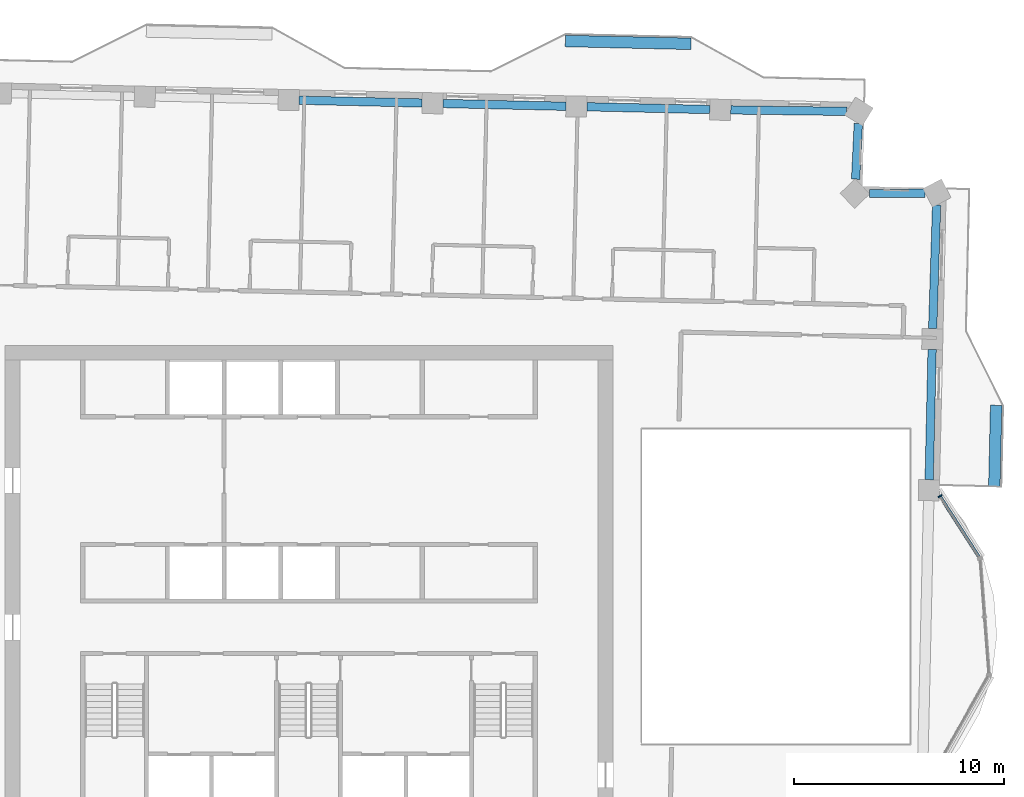
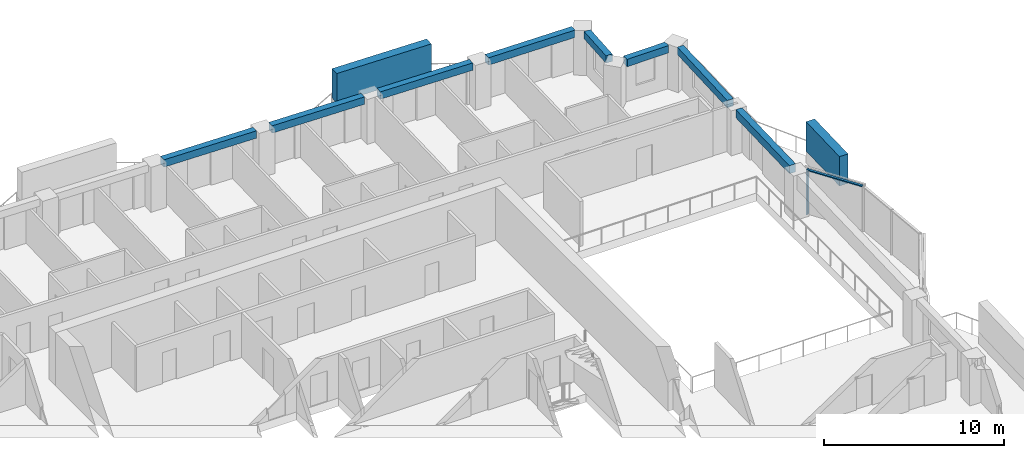
# One storey, part 4 of 17: 8 beams, 4 members, 1 element without a shape of its own.
"""IFC4 building model written with IfcOpenShell, lengths in metres."""

import ifcopenshell
import ifcopenshell.guid

model = None  # the IFC model being written
_history = None  # IfcOwnerHistory: only IFC2X3 demands one
_inside = {}  # id of a spatial element -> (the spatial element, [elements in it])
_under = {}  # id of a project, library or spatial element -> (it, [spatial elements below it])
_declared = {}  # id of a project -> (the project, [libraries it declares])
_typed = {}  # id of a type object -> (the type object, [elements of that type])
_made_of = {}  # id of a material, layer set ... -> (it, [elements and type objects made of it])


def new_model(schema):
    """Start an empty IFC model of exactly this schema.

    Asked for "IFC4X3", IfcOpenShell would pick the latest addendum, in which some entities
    have other attributes; the version numbers below select the first issue.
    IFC2X3 requires an IfcOwnerHistory on every rooted entity: one is made here for all.
    """
    global model, _history
    if schema == "IFC4X3":
        model = ifcopenshell.file(schema_version=(4, 3, 0, 0))
    else:
        model = ifcopenshell.file(schema=schema)
    _inside.clear()
    _under.clear()
    _declared.clear()
    _typed.clear()
    _made_of.clear()
    _history = None
    if model.schema == "IFC2X3":
        org = make("IfcOrganization", Name="unknown")
        user = make(
            "IfcPersonAndOrganization",
            ThePerson=make("IfcPerson", FamilyName="unknown"),
            TheOrganization=org,
        )
        app = make(
            "IfcApplication",
            ApplicationDeveloper=org,
            Version="unknown",
            ApplicationFullName="unknown",
            ApplicationIdentifier="unknown",
        )
        _history = make(
            "IfcOwnerHistory",
            OwningUser=user,
            OwningApplication=app,
            ChangeAction="ADDED",
            CreationDate=0,
        )
    return model


def make(cls, **values):
    """One entity of the class cls with the attributes given. An attribute that is None is left unset."""
    return model.create_entity(
        cls, **{name: value for name, value in values.items() if value is not None}
    )


def rooted(cls, **values):
    """An entity with a GlobalId (a new one), such as an element, a storey or a relation."""
    return make(cls, GlobalId=ifcopenshell.guid.new(), OwnerHistory=_history, **values)


def si_unit(unit_type, name, prefix=None):
    """IfcSIUnit, for example si_unit("LENGTHUNIT", "METRE", prefix="MILLI")."""
    return make("IfcSIUnit", UnitType=unit_type, Prefix=prefix, Name=name)


def assignment(units):
    """IfcUnitAssignment: the units of a project."""
    return None if units is None else make("IfcUnitAssignment", Units=units)


def point(xyz):
    """IfcCartesianPoint."""
    return None if xyz is None else make("IfcCartesianPoint", Coordinates=xyz)


def direction(xyz):
    """IfcDirection."""
    return None if xyz is None else make("IfcDirection", DirectionRatios=xyz)


def frame(location, z_axis=None, x_axis=None):
    """IfcAxis2Placement3D, a coordinate frame: its origin and axes. An axis left out is left unset."""
    return make(
        "IfcAxis2Placement3D",
        Location=point(location),
        Axis=direction(z_axis),
        RefDirection=direction(x_axis),
    )


def frame_2d(location, x_axis=None):
    """IfcAxis2Placement2D, a coordinate frame in the plane: its origin and x axis."""
    return make(
        "IfcAxis2Placement2D", Location=point(location), RefDirection=direction(x_axis)
    )


def origin():
    """The frame at (0, 0, 0) with its axes left unset."""
    return frame((0.0, 0.0, 0.0))


def origin_2d():
    """The frame at (0, 0) in the plane with its x axis left unset."""
    return frame_2d((0.0, 0.0))


def place(relative_to, where):
    """IfcLocalPlacement: puts the frame where relative to a parent placement (None: the world)."""
    return make(
        "IfcLocalPlacement", PlacementRelTo=relative_to, RelativePlacement=where
    )


def context(
    kind, dimensions, precision=None, world=None, true_north=None, identifier=None
):
    """IfcGeometricRepresentationContext, for example the 3D "Model" context."""
    return make(
        "IfcGeometricRepresentationContext",
        ContextIdentifier=identifier,
        ContextType=kind,
        CoordinateSpaceDimension=dimensions,
        Precision=precision,
        WorldCoordinateSystem=world,
        TrueNorth=true_north,
    )


def subcontext(parent, identifier, kind, view, scale=None):
    """IfcGeometricRepresentationSubContext, for example "Body" below "Model"."""
    return make(
        "IfcGeometricRepresentationSubContext",
        ContextIdentifier=identifier,
        ContextType=kind,
        ParentContext=parent,
        TargetScale=scale,
        TargetView=view,
    )


def project(units=None, contexts=None):
    """IfcProject with its units and contexts."""
    return rooted(
        "IfcProject",
        Name="project",
        RepresentationContexts=contexts,
        UnitsInContext=assignment(units),
    )


def spatial(cls, under=None, at=None, **own):
    """A site, building, storey or space (cls), placed at a placement, below another one or the project."""
    s = rooted(cls, ObjectPlacement=at, **own)
    if under is not None:
        _under.setdefault(under.id(), (under, []))[1].append(s)
    return s


def profile(cls, at=None, kind="AREA", **sizes):
    """A parametric profile (cls). Its sizes go by their IFC names, for example OverallWidth=200.0."""
    return make(cls, ProfileType=kind, Position=at, **sizes)


def rectangle(**sizes):
    """IfcRectangleProfileDef."""
    return profile("IfcRectangleProfileDef", **sizes)


def extrude(swept, where, along, depth):
    """IfcExtrudedAreaSolid: the profile swept, set in the frame where, extruded along a direction by depth."""
    return make(
        "IfcExtrudedAreaSolid",
        SweptArea=swept,
        Position=where,
        ExtrudedDirection=direction(along),
        Depth=depth,
    )


def shape(context_of_items, identifier, shape_type, items):
    """IfcShapeRepresentation: the items that make up one representation, for example the "Body"."""
    return make(
        "IfcShapeRepresentation",
        ContextOfItems=context_of_items,
        RepresentationIdentifier=identifier,
        RepresentationType=shape_type,
        Items=items,
    )


def material(Name=None, Category=None):
    """IfcMaterial."""
    return make("IfcMaterial", Name=Name, Category=Category)


def material_profile(
    of_material, cross_section, Name=None, Category=None, Priority=None
):
    """IfcMaterialProfile: a cross section and its material."""
    return make(
        "IfcMaterialProfile",
        Name=Name,
        Material=of_material,
        Profile=cross_section,
        Priority=Priority,
        Category=Category,
    )


def profile_set(profiles, Name=None, composite=None):
    """IfcMaterialProfileSet."""
    return make(
        "IfcMaterialProfileSet",
        Name=Name,
        MaterialProfiles=profiles,
        CompositeProfile=composite,
    )


def made_of(thing, what):
    """Note that an element or type object is made of a material, layer set ...; save() writes the relation."""
    if what is not None:
        _made_of.setdefault(what.id(), (what, []))[1].append(thing)
    return thing


def type_object(cls, material=None, **own):
    """A type object (cls), such as IfcWallType, which elements share."""
    return made_of(rooted(cls, **own), material)


def element(
    cls,
    number,
    at=None,
    inside=None,
    cuts=None,
    type_object=None,
    material=None,
    context=None,
    identifier="Body",
    shape_type=None,
    held_by="IfcProductDefinitionShape",
    body=None,
    shapes=None,
    **own,
):
    """One element of the class cls, such as IfcWall. Its Tag is "e" and its number.

    at: its placement. inside: the storey or other place that contains it. cuts: it is an
    opening in that element (IfcRelVoidsElement). A single representation is given by context,
    identifier, shape_type and body (its items); several are given by shapes. held_by: the class
    of the entity that holds the representations. save() writes the other relations.
    """
    e = rooted(cls, Tag="e%d" % number, ObjectPlacement=at, **own)
    if body is not None:
        shapes = [shape(context, identifier, shape_type, body)]
    if shapes is not None:
        e.Representation = make(held_by, Representations=shapes)
    if inside is not None:
        _inside.setdefault(inside.id(), (inside, []))[1].append(e)
    if cuts is not None:
        rooted(
            "IfcRelVoidsElement", RelatingBuildingElement=cuts, RelatedOpeningElement=e
        )
    if type_object is not None:
        _typed.setdefault(type_object.id(), (type_object, []))[1].append(e)
    return made_of(e, material)


def aggregate(whole, parts):
    """IfcRelAggregates: a whole, such as a stair, and the parts it consists of."""
    return rooted("IfcRelAggregates", RelatingObject=whole, RelatedObjects=parts)


def save(model, path):
    """Write the relations noted so far, then the file.

    IfcRelAggregates (storeys below a building ...), IfcRelContainedInSpatialStructure (elements
    in a storey), IfcRelDefinesByType, IfcRelAssociatesMaterial and IfcRelDeclares: one each for
    every whole, place, type object, material and project.
    """
    for whole, parts in _under.values():
        aggregate(whole, parts)
    for where, things in _inside.values():
        rooted(
            "IfcRelContainedInSpatialStructure",
            RelatedElements=things,
            RelatingStructure=where,
        )
    for kind, things in _typed.values():
        rooted("IfcRelDefinesByType", RelatedObjects=things, RelatingType=kind)
    for what, things in _made_of.values():
        rooted("IfcRelAssociatesMaterial", RelatedObjects=things, RelatingMaterial=what)
    for by, libraries in _declared.values():
        rooted("IfcRelDeclares", RelatingContext=by, RelatedDefinitions=libraries)
    model.write(path)


model = new_model("IFC4")

# Units and contexts
model_context = context("Model", 3, precision=1e-05, world=origin(), true_north=direction((0.0, 1.0)))
body_context = subcontext(model_context, "Body", "Model", "MODEL_VIEW")
ifc_project = project(units=[si_unit("LENGTHUNIT", "METRE"), si_unit("AREAUNIT", "SQUARE_METRE"), si_unit("VOLUMEUNIT", "CUBIC_METRE"), si_unit("PLANEANGLEUNIT", "RADIAN"), si_unit("MASSUNIT", "GRAM", prefix="KILO")], contexts=[model_context])

# Site, building, storey
site_placement = place(None, origin())
site = spatial("IfcSite", under=ifc_project, at=site_placement, CompositionType="ELEMENT")
building_placement = place(site_placement, origin())
building = spatial("IfcBuilding", under=site, at=building_placement, Name="Mangrove Gate Tower", CompositionType="ELEMENT")
storey_placement = place(building_placement, frame((0.0, 0.0, 271.699951171875)))
storey = spatial("IfcBuildingStorey", under=building, at=storey_placement, Name="L69", CompositionType="ELEMENT", Elevation=271.699951171875)

# Curtain wall, members
ifc_material_1 = material(Name="Aluminium and glass curtain wall", Category="aluminium")
curtain_wall_type = type_object("IfcCurtainWallType", Name="Atrium garden-court glazing wall", PredefinedType="NOTDEFINED", material=ifc_material_1)
curtain_wall_placement = place(storey_placement, origin())
curtain_wall = element("IfcCurtainWall", 1, at=curtain_wall_placement, inside=storey, type_object=curtain_wall_type, Name="Atrium garden-court glazing E1f3", PredefinedType="NOTDEFINED")
ifc_material_2 = material(Name="Aluminium alloy 6063-T6", Category="aluminium")
ifc_material_profile_1 = material_profile(ifc_material_2, rectangle(XDim=0.070068359375, YDim=0.199951171875, at=origin_2d()))
ifc_profile_set_1 = profile_set([ifc_material_profile_1], Name="Aluminium alloy 6063-T6")
member_type_1 = type_object("IfcMemberType", Name="Atrium garden-court glazing mullion 70x200", PredefinedType="MULLION", material=ifc_profile_set_1)
member_1_placement = place(storey_placement, frame((30.1083984375, 4.305419921875, 0.0), z_axis=(0.0, 0.0, 1.0), x_axis=(-0.540498107045, 0.841345230141, 0.0)))
member_1 = element("IfcMember", 2, at=member_1_placement, type_object=member_type_1, Name="CWA mullion 2", PredefinedType="MULLION", context=body_context, shape_type="SweptSolid", body=[
    extrude(rectangle(XDim=0.070068359375, YDim=0.199951171875, at=origin_2d()), origin(), (0.0, 0.0, 1.0), 3.050048828125),
])
ifc_material_3 = material(Name="Aluminium alloy 6063-T6", Category="aluminium")
ifc_material_profile_2 = material_profile(ifc_material_3, rectangle(XDim=0.070068359375, YDim=0.14990234375, at=origin_2d()))
ifc_profile_set_2 = profile_set([ifc_material_profile_2], Name="Aluminium alloy 6063-T6")
member_type_2 = type_object("IfcMemberType", Name="Atrium garden-court glazing transom 70x150", PredefinedType="USERDEFINED", material=ifc_profile_set_2)
member_2_placement = place(storey_placement, frame((31.980224609375, 1.391845703125, 3.01513671875), z_axis=(-0.540520015827, 0.84133115507, 0.0), x_axis=(0.0, 0.0, 1.0)))
member_2 = element("IfcMember", 3, at=member_2_placement, type_object=member_type_2, Name="CWA transom 1.2", ObjectType="TRANSOM", PredefinedType="USERDEFINED", context=body_context, shape_type="SweptSolid", body=[
    extrude(rectangle(XDim=0.070068359375, YDim=0.14990234375, at=origin_2d()), origin(), (0.0, 0.0, 1.0), 3.42822265625),
])
aggregate(curtain_wall, [member_1, member_2])

# Members
ifc_material_4 = material(Name="Planting on aluminium trellis", Category="aluminium")
ifc_material_profile_3 = material_profile(ifc_material_4, rectangle(XDim=0.550048828125, YDim=2.0, at=origin_2d()))
ifc_profile_set_3 = profile_set([ifc_material_profile_3], Name="Planting on aluminium trellis")
member_type_3 = type_object("IfcMemberType", Name="Balcony greenery screen 550x2000", PredefinedType="USERDEFINED", material=ifc_profile_set_3)
member_3_placement = place(storey_placement, frame((32.705078125, 4.77099609375, 1.800048828125), z_axis=(0.022681332769, 0.999742745482, 0.0), x_axis=(-0.999742745482, 0.022681332769, 0.0)))
element("IfcMember", 4, at=member_3_placement, inside=storey, type_object=member_type_3, Name="GREEN SCREEN L69 E1.1", ObjectType="PLANTING", PredefinedType="USERDEFINED", context=body_context, shape_type="SweptSolid", body=[
    extrude(rectangle(XDim=0.550048828125, YDim=2.0, at=origin_2d()), origin(), (0.0, 0.0, 1.0), 3.875),
])
member_4_placement = place(storey_placement, frame((12.23095703125, 26.031005859375, 1.800048828125), z_axis=(0.999743094499, -0.022665943652, 0.0), x_axis=(0.022665943652, 0.999743094499, 0.0)))
element("IfcMember", 5, at=member_4_placement, inside=storey, type_object=member_type_3, Name="GREEN SCREEN L69 N0.1", ObjectType="PLANTING", PredefinedType="USERDEFINED", context=body_context, shape_type="SweptSolid", body=[
    extrude(rectangle(XDim=0.550048828125, YDim=2.0, at=origin_2d()), origin(), (0.0, 0.0, 1.0), 5.99951171875),
])

# Beams
ifc_material_5 = material(Name="Concrete C50/60", Category="concrete")
ifc_material_profile_4 = material_profile(ifc_material_5, rectangle(XDim=0.39990234375, YDim=0.5, at=origin_2d()))
ifc_profile_set_4 = profile_set([ifc_material_profile_4], Name="Concrete C50/60")
beam_type_1 = type_object("IfcBeamType", Name="Edge beam RC 400x500 C50/60", PredefinedType="BEAM", material=ifc_profile_set_4)
beam_1_placement = place(storey_placement, frame((29.763916015625, 12.302001953125, 2.800048828125), z_axis=(0.031759593867, 0.999495536857, 0.0), x_axis=(-0.999495536857, 0.031759593867, 0.0)))
element("IfcBeam", 6, at=beam_1_placement, inside=storey, type_object=beam_type_1, Name="Edge beam L69 17", PredefinedType="BEAM", context=body_context, shape_type="SweptSolid", body=[
    extrude(rectangle(XDim=0.39990234375, YDim=0.5, at=origin_2d()), origin(), (0.0, 0.0, 1.0), 5.89599609375),
])
beam_2_placement = place(storey_placement, frame((29.40625, 18.76611328125, 2.800048828125), z_axis=(-0.999982838494, -0.005858559288, 0.0), x_axis=(0.005858559288, -0.999982838494, 0.0)))
element("IfcBeam", 7, at=beam_2_placement, inside=storey, type_object=beam_type_1, Name="Edge beam L69 18", PredefinedType="BEAM", context=body_context, shape_type="SweptSolid", body=[
    extrude(rectangle(XDim=0.39990234375, YDim=0.5, at=origin_2d()), origin(), (0.0, 0.0, 1.0), 2.6669921875),
])
beam_3_placement = place(storey_placement, frame((26.085205078125, 19.43505859375, 2.800048828125), z_axis=(0.048675713211, 0.998814634927, 0.0), x_axis=(-0.998814634927, 0.048675713211, 0.0)))
element("IfcBeam", 8, at=beam_3_placement, inside=storey, type_object=beam_type_1, Name="Edge beam L69 19", PredefinedType="BEAM", context=body_context, shape_type="SweptSolid", body=[
    extrude(rectangle(XDim=0.39990234375, YDim=0.5, at=origin_2d()), origin(), (0.0, 0.0, 1.0), 2.663330078125),
])
beam_4_placement = place(storey_placement, frame((25.660400390625, 22.672119140625, 2.800048828125), z_axis=(-0.999922612995, 0.012440579585, 0.0), x_axis=(-0.012440579585, -0.999922612995, 0.0)))
element("IfcBeam", 9, at=beam_4_placement, inside=storey, type_object=beam_type_1, Name="Edge beam L69 20", PredefinedType="BEAM", context=body_context, shape_type="SweptSolid", body=[
    extrude(rectangle(XDim=0.39990234375, YDim=0.5, at=origin_2d()), origin(), (0.0, 0.0, 1.0), 5.5341796875),
])
beam_5_placement = place(storey_placement, frame((19.126708984375, 22.758544921875, 2.800048828125), z_axis=(-0.999741921459, 0.022717624818, 0.0), x_axis=(-0.022717624818, -0.999741921459, 0.0)))
element("IfcBeam", 10, at=beam_5_placement, inside=storey, type_object=beam_type_1, Name="Edge beam L69 21", PredefinedType="BEAM", context=body_context, shape_type="SweptSolid", body=[
    extrude(rectangle(XDim=0.39990234375, YDim=0.5, at=origin_2d()), origin(), (0.0, 0.0, 1.0), 5.86767578125),
])
beam_6_placement = place(storey_placement, frame((12.2607421875, 22.91455078125, 2.800048828125), z_axis=(-0.999741835545, 0.022721405353, 0.0), x_axis=(-0.022721405353, -0.999741835545, 0.0)))
element("IfcBeam", 11, at=beam_6_placement, inside=storey, type_object=beam_type_1, Name="Edge beam L69 22", PredefinedType="BEAM", context=body_context, shape_type="SweptSolid", body=[
    extrude(rectangle(XDim=0.39990234375, YDim=0.5, at=origin_2d()), origin(), (0.0, 0.0, 1.0), 5.86669921875),
])
beam_7_placement = place(storey_placement, frame((5.395751953125, 23.070556640625, 2.800048828125), z_axis=(-0.999741921459, 0.022717624818, 0.0), x_axis=(-0.022717624818, -0.999741921459, 0.0)))
element("IfcBeam", 12, at=beam_7_placement, inside=storey, type_object=beam_type_1, Name="Edge beam L69 23", PredefinedType="BEAM", context=body_context, shape_type="SweptSolid", body=[
    extrude(rectangle(XDim=0.39990234375, YDim=0.5, at=origin_2d()), origin(), (0.0, 0.0, 1.0), 5.86767578125),
])
ifc_material_6 = material(Name="Concrete C50/60", Category="concrete")
ifc_material_profile_5 = material_profile(ifc_material_6, rectangle(XDim=0.39990234375, YDim=0.550048828125, at=origin_2d()))
ifc_profile_set_5 = profile_set([ifc_material_profile_5], Name="Concrete C50/60")
beam_type_2 = type_object("IfcBeamType", Name="Edge beam RC 400x550 C50/60", PredefinedType="BEAM", material=ifc_profile_set_5)
beam_8_placement = place(storey_placement, frame((29.596435546875, 5.09228515625, 2.775146484375), z_axis=(0.022599093821, 0.999744607867, 0.0), x_axis=(-0.999744607867, 0.022599093821, 0.0)))
element("IfcBeam", 13, at=beam_8_placement, inside=storey, type_object=beam_type_2, Name="Edge beam L69 16", PredefinedType="BEAM", context=body_context, shape_type="SweptSolid", body=[
    extrude(rectangle(XDim=0.39990234375, YDim=0.550048828125, at=origin_2d()), origin(), (0.0, 0.0, 1.0), 6.211669921875),
])

save(model, "model.ifc")
